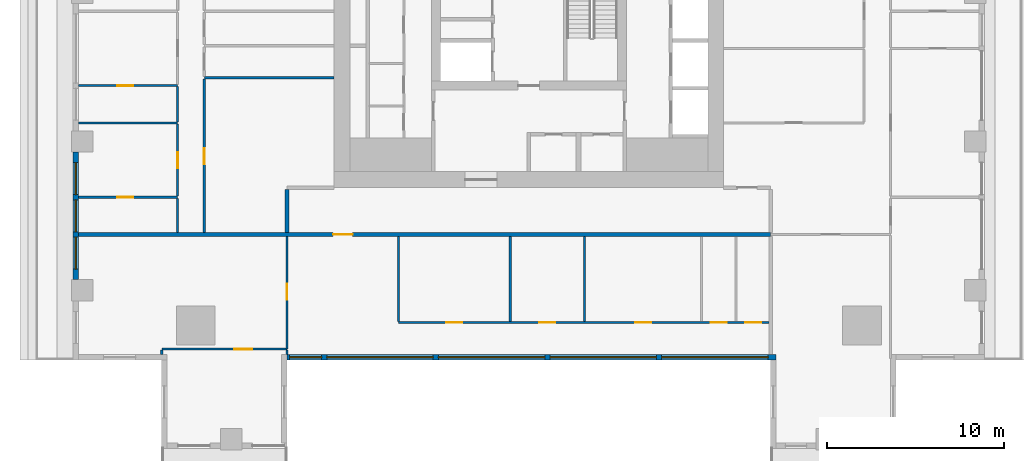
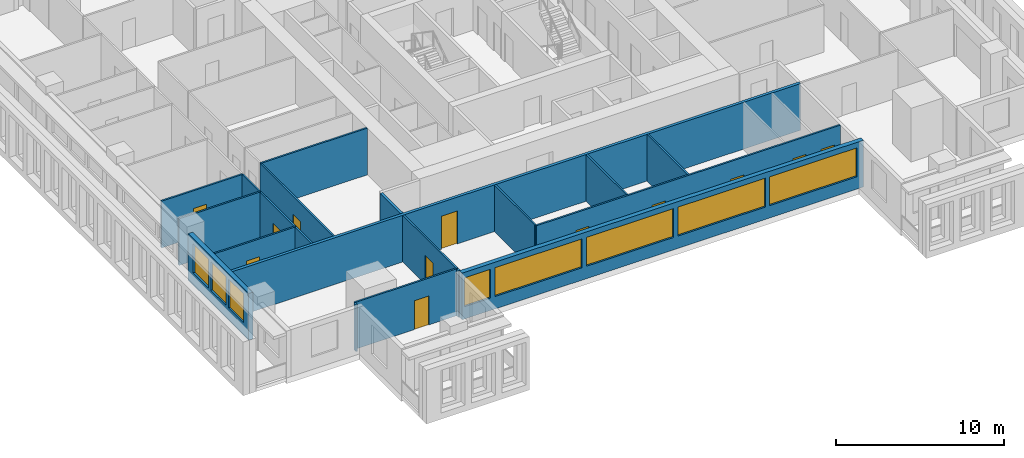
# One storey, part 2 of 14: 20 walls, 12 doors, 8 windows, 20 openings.
"""IFC4 building model written with IfcOpenShell, lengths in metres."""

from ifc_helpers import new_model, si_unit, direction, frame, frame_2d, origin, place, context, subcontext, project, spatial, rectangle, extrude, material, layer, layer_set, type_object, element, fill, save


model = new_model("IFC4")

# Units and contexts
model_context = context("Model", 3, precision=1e-05, world=origin(), true_north=direction((0.0, 1.0)))
body_context = subcontext(model_context, "Body", "Model", "MODEL_VIEW")
ifc_project = project(units=[si_unit("LENGTHUNIT", "METRE"), si_unit("AREAUNIT", "SQUARE_METRE"), si_unit("VOLUMEUNIT", "CUBIC_METRE"), si_unit("PLANEANGLEUNIT", "RADIAN"), si_unit("MASSUNIT", "GRAM", prefix="KILO")], contexts=[model_context])

# Site, building, storey
site_placement = place(None, origin())
site = spatial("IfcSite", under=ifc_project, at=site_placement, CompositionType="ELEMENT")
building_placement = place(site_placement, origin())
building = spatial("IfcBuilding", under=site, at=building_placement, Name="Khepri Terraces", CompositionType="ELEMENT")
storey_placement = place(building_placement, frame((0.0, 0.0, 283.5)))
storey = spatial("IfcBuildingStorey", under=building, at=storey_placement, Name="L68", CompositionType="ELEMENT", Elevation=283.5)

# Wall, opening, door
ifc_material_1 = material(Name="Fire-rated gypsum plasterboard partition, mineral wool")
ifc_layer_1 = layer(ifc_material_1, 0.199951171875, Name="Fire-rated gypsum plasterboard partition, mineral wool")
ifc_layer_set_1 = layer_set([ifc_layer_1], Name="Fire-rated gypsum plasterboard partition, mineral wool")
wall_type_1 = type_object("IfcWallType", Name="WL-CORR-200", PredefinedType="PARTITIONING", material=ifc_layer_set_1)
wall_1_placement = place(storey_placement, frame((-25.419921875, -13.64990234375, 0.0), z_axis=(0.0, 0.0, 1.0), x_axis=(1.0, 0.0, 0.0)))
wall_1 = element("IfcWall", 1, at=wall_1_placement, inside=storey, type_object=wall_type_1, Name="Partition P-014 L68", PredefinedType="PARTITIONING", context=body_context, shape_type="SweptSolid", body=[
    extrude(rectangle(XDim=39.06982421875, YDim=0.199951171875, at=frame_2d((19.534912109375, 0.0))), origin(), (0.0, 0.0, 1.0), 3.39990234375),
])
opening_1_placement = place(wall_1_placement, frame((14.3701171875, 0.0, 0.0)))
opening_1 = element("IfcOpeningElement", 2, at=opening_1_placement, cuts=wall_1, Name="Opening D1", PredefinedType="OPENING", context=body_context, shape_type="SweptSolid", body=[
    extrude(rectangle(XDim=1.10009765625, YDim=2.39990234375, at=frame_2d((0.550048828125, 1.199951171875))), frame((0.0, 0.10986328125, 0.0), z_axis=(0.0, -1.0, 0.0), x_axis=(1.0, 0.0, 0.0)), (0.0, 0.0, 1.0), 0.219970703125),
])
ifc_material_2 = material(Name="Solid-core timber door leaf, flat entrance door", Category="wood")
door_type_1 = type_object("IfcDoorType", Name="DR-ENT-1100", OperationType="NOTDEFINED", PredefinedType="DOOR", material=ifc_material_2)
door_1_placement = place(opening_1_placement, frame((1.10009765625, 0.0, 0.0), z_axis=(0.0, 0.0, 1.0), x_axis=(-1.0, 0.0, 0.0)))
door_1 = element("IfcDoor", 3, at=door_1_placement, inside=storey, type_object=door_type_1, Name="Flat A1 entrance door", OperationType="SINGLE_SWING_RIGHT", OverallHeight=2.39990234375, OverallWidth=1.10009765625, PredefinedType="DOOR", context=body_context, shape_type="SweptSolid", body=[
    extrude(rectangle(XDim=1.10009765625, YDim=2.39990234375, at=frame_2d((0.550048828125, 1.199951171875))), frame((0.0, 0.02490234375, 0.0), z_axis=(0.0, -1.0, 0.0), x_axis=(1.0, 0.0, 0.0)), (0.0, 0.0, 1.0), 0.050048828125),
])
fill(opening_1, door_1)

# Wall
wall_2_placement = place(storey_placement, frame((-13.64990234375, -13.550048828125, 0.0), z_axis=(0.0, 0.0, 1.0), x_axis=(0.0, 1.0, 0.0)))
element("IfcWall", 4, at=wall_2_placement, inside=storey, type_object=wall_type_1, Name="Partition P-019 L68", PredefinedType="PARTITIONING", context=body_context, shape_type="SweptSolid", body=[
    extrude(rectangle(XDim=2.449951171875, YDim=0.199951171875, at=frame_2d((1.22509765625, 0.0))), origin(), (0.0, 0.0, 1.0), 3.39990234375),
])

# Wall, openings, windows
ifc_material_3 = material(Name="Precast concrete C50/60 warm stone", Category="masonry")
ifc_layer_2 = layer(ifc_material_3, 0.300048828125, Name="Precast concrete C50/60 warm stone", Category="masonry")
ifc_layer_set_2 = layer_set([ifc_layer_2], Name="Precast concrete C50/60 warm stone")
wall_type_2 = type_object("IfcWallType", Name="WL-EXT-PRECAST-300", PredefinedType="STANDARD", material=ifc_layer_set_2)
wall_3_placement = place(storey_placement, frame((-25.570068359375, -9.0, 0.0), z_axis=(0.0, 0.0, 1.0), x_axis=(0.0, -1.0, 0.0)))
wall_3 = element("IfcWall", 5, at=wall_3_placement, inside=storey, type_object=wall_type_2, Name="External wall L68 W", PredefinedType="STANDARD", context=body_context, shape_type="SweptSolid", body=[
    extrude(rectangle(XDim=7.199951171875, YDim=0.300048828125, at=frame_2d((3.60009765625, 0.0))), origin(), (0.0, 0.0, 1.0), 3.39990234375),
])
opening_2_placement = place(wall_3_placement, frame((0.60009765625, 0.0, 0.89990234375)))
opening_2 = element("IfcOpeningElement", 6, at=opening_2_placement, cuts=wall_3, Name="Opening W1", PredefinedType="OPENING", context=body_context, shape_type="SweptSolid", body=[
    extrude(rectangle(XDim=1.800048828125, YDim=2.10009765625, at=frame_2d((0.89990234375, 1.050048828125))), frame((0.0, 0.16015625, 0.0), z_axis=(0.0, -1.0, 0.0), x_axis=(1.0, 0.0, 0.0)), (0.0, 0.0, 1.0), 0.320068359375),
])
opening_3_placement = place(wall_3_placement, frame((2.699951171875, 0.0, 0.89990234375)))
opening_3 = element("IfcOpeningElement", 7, at=opening_3_placement, cuts=wall_3, Name="Opening W1", PredefinedType="OPENING", context=body_context, shape_type="SweptSolid", body=[
    extrude(rectangle(XDim=1.800048828125, YDim=2.10009765625, at=frame_2d((0.89990234375, 1.050048828125))), frame((0.0, 0.16015625, 0.0), z_axis=(0.0, -1.0, 0.0), x_axis=(1.0, 0.0, 0.0)), (0.0, 0.0, 1.0), 0.320068359375),
])
opening_4_placement = place(wall_3_placement, frame((4.800048828125, 0.0, 0.89990234375)))
opening_4 = element("IfcOpeningElement", 8, at=opening_4_placement, cuts=wall_3, Name="Opening W1", PredefinedType="OPENING", context=body_context, shape_type="SweptSolid", body=[
    extrude(rectangle(XDim=1.800048828125, YDim=2.10009765625, at=frame_2d((0.89990234375, 1.050048828125))), frame((0.0, 0.16015625, 0.0), z_axis=(0.0, -1.0, 0.0), x_axis=(1.0, 0.0, 0.0)), (0.0, 0.0, 1.0), 0.320068359375),
])
ifc_material_4 = material(Name="Clear glass", Category="glass")
window_type_1 = type_object("IfcWindowType", Name="WIN-RES-1800x2100", PartitioningType="SINGLE_PANEL", PredefinedType="WINDOW", material=ifc_material_4)
window_1_placement = place(opening_2_placement, origin())
window_1 = element("IfcWindow", 9, at=window_1_placement, inside=storey, type_object=window_type_1, Name="Window L68 W", OverallHeight=2.10009765625, OverallWidth=1.800048828125, PartitioningType="SINGLE_PANEL", PredefinedType="WINDOW", context=body_context, shape_type="SweptSolid", body=[
    extrude(rectangle(XDim=1.800048828125, YDim=2.10009765625, at=frame_2d((0.89990234375, 1.050048828125))), frame((0.0, 0.030029296875, 0.0), z_axis=(0.0, -1.0, 0.0), x_axis=(1.0, 0.0, 0.0)), (0.0, 0.0, 1.0), 0.06005859375),
])
fill(opening_2, window_1)
window_2_placement = place(opening_3_placement, origin())
window_2 = element("IfcWindow", 10, at=window_2_placement, inside=storey, type_object=window_type_1, Name="Window L68 W", OverallHeight=2.10009765625, OverallWidth=1.800048828125, PartitioningType="SINGLE_PANEL", PredefinedType="WINDOW", context=body_context, shape_type="SweptSolid", body=[
    extrude(rectangle(XDim=1.800048828125, YDim=2.10009765625, at=frame_2d((0.89990234375, 1.050048828125))), frame((0.0, 0.030029296875, 0.0), z_axis=(0.0, -1.0, 0.0), x_axis=(1.0, 0.0, 0.0)), (0.0, 0.0, 1.0), 0.06005859375),
])
fill(opening_3, window_2)
window_3_placement = place(opening_4_placement, origin())
window_3 = element("IfcWindow", 11, at=window_3_placement, inside=storey, type_object=window_type_1, Name="Window L68 W", OverallHeight=2.10009765625, OverallWidth=1.800048828125, PartitioningType="SINGLE_PANEL", PredefinedType="WINDOW", context=body_context, shape_type="SweptSolid", body=[
    extrude(rectangle(XDim=1.800048828125, YDim=2.10009765625, at=frame_2d((0.89990234375, 1.050048828125))), frame((0.0, 0.030029296875, 0.0), z_axis=(0.0, -1.0, 0.0), x_axis=(1.0, 0.0, 0.0)), (0.0, 0.0, 1.0), 0.06005859375),
])
fill(opening_4, window_3)

wall_4_placement = place(storey_placement, frame((-13.64990234375, -20.570068359375, 0.0), z_axis=(0.0, 0.0, 1.0), x_axis=(1.0, 0.0, 0.0)))
wall_4 = element("IfcWall", 12, at=wall_4_placement, inside=storey, type_object=wall_type_2, Name="External wall L68 S", PredefinedType="STANDARD", context=body_context, shape_type="SweptSolid", body=[
    extrude(rectangle(XDim=27.599853515625, YDim=0.300048828125, at=frame_2d((13.7998046875, 0.0))), origin(), (0.0, 0.0, 1.0), 3.39990234375),
])
opening_5_placement = place(wall_4_placement, frame((0.14990234375, 0.0, 0.89990234375)))
opening_5 = element("IfcOpeningElement", 13, at=opening_5_placement, cuts=wall_4, Name="Opening W1", PredefinedType="OPENING", context=body_context, shape_type="SweptSolid", body=[
    extrude(rectangle(XDim=1.800048828125, YDim=2.10009765625, at=frame_2d((0.89990234375, 1.050048828125))), frame((0.0, 0.16015625, 0.0), z_axis=(0.0, -1.0, 0.0), x_axis=(1.0, 0.0, 0.0)), (0.0, 0.0, 1.0), 0.320068359375),
])
opening_6_placement = place(wall_4_placement, frame((2.25, 0.0, 0.89990234375)))
opening_6 = element("IfcOpeningElement", 14, at=opening_6_placement, cuts=wall_4, Name="Opening W3", PredefinedType="OPENING", context=body_context, shape_type="SweptSolid", body=[
    extrude(rectangle(XDim=6.0, YDim=2.10009765625, at=frame_2d((3.0, 1.050048828125))), frame((0.0, 0.16015625, 0.0), z_axis=(0.0, -1.0, 0.0), x_axis=(1.0, 0.0, 0.0)), (0.0, 0.0, 1.0), 0.320068359375),
])
opening_7_placement = place(wall_4_placement, frame((8.550048828125, 0.0, 0.89990234375)))
opening_7 = element("IfcOpeningElement", 15, at=opening_7_placement, cuts=wall_4, Name="Opening W3", PredefinedType="OPENING", context=body_context, shape_type="SweptSolid", body=[
    extrude(rectangle(XDim=6.0, YDim=2.10009765625, at=frame_2d((3.0, 1.050048828125))), frame((0.0, 0.16015625, 0.0), z_axis=(0.0, -1.0, 0.0), x_axis=(1.0, 0.0, 0.0)), (0.0, 0.0, 1.0), 0.320068359375),
])
opening_8_placement = place(wall_4_placement, frame((14.85009765625, 0.0, 0.89990234375)))
opening_8 = element("IfcOpeningElement", 16, at=opening_8_placement, cuts=wall_4, Name="Opening W3", PredefinedType="OPENING", context=body_context, shape_type="SweptSolid", body=[
    extrude(rectangle(XDim=6.0, YDim=2.10009765625, at=frame_2d((3.0, 1.050048828125))), frame((0.0, 0.16015625, 0.0), z_axis=(0.0, -1.0, 0.0), x_axis=(1.0, 0.0, 0.0)), (0.0, 0.0, 1.0), 0.320068359375),
])
opening_9_placement = place(wall_4_placement, frame((21.14990234375, 0.0, 0.89990234375)))
opening_9 = element("IfcOpeningElement", 17, at=opening_9_placement, cuts=wall_4, Name="Opening W3", PredefinedType="OPENING", context=body_context, shape_type="SweptSolid", body=[
    extrude(rectangle(XDim=6.0, YDim=2.10009765625, at=frame_2d((3.0, 1.050048828125))), frame((0.0, 0.16015625, 0.0), z_axis=(0.0, -1.0, 0.0), x_axis=(1.0, 0.0, 0.0)), (0.0, 0.0, 1.0), 0.320068359375),
])
window_4_placement = place(opening_5_placement, origin())
window_4 = element("IfcWindow", 18, at=window_4_placement, inside=storey, type_object=window_type_1, Name="Window L68 S", OverallHeight=2.10009765625, OverallWidth=1.800048828125, PartitioningType="SINGLE_PANEL", PredefinedType="WINDOW", context=body_context, shape_type="SweptSolid", body=[
    extrude(rectangle(XDim=1.800048828125, YDim=2.10009765625, at=frame_2d((0.89990234375, 1.050048828125))), frame((0.0, 0.030029296875, 0.0), z_axis=(0.0, -1.0, 0.0), x_axis=(1.0, 0.0, 0.0)), (0.0, 0.0, 1.0), 0.06005859375),
])
fill(opening_5, window_4)
window_type_2 = type_object("IfcWindowType", Name="WIN-RES-6000x2100", PartitioningType="SINGLE_PANEL", PredefinedType="WINDOW", material=ifc_material_4)
window_5_placement = place(opening_6_placement, origin())
window_5 = element("IfcWindow", 19, at=window_5_placement, inside=storey, type_object=window_type_2, Name="Window L68 S", OverallHeight=2.10009765625, OverallWidth=6.0, PartitioningType="SINGLE_PANEL", PredefinedType="WINDOW", context=body_context, shape_type="SweptSolid", body=[
    extrude(rectangle(XDim=6.0, YDim=2.10009765625, at=frame_2d((3.0, 1.050048828125))), frame((0.0, 0.030029296875, 0.0), z_axis=(0.0, -1.0, 0.0), x_axis=(1.0, 0.0, 0.0)), (0.0, 0.0, 1.0), 0.06005859375),
])
fill(opening_6, window_5)
window_6_placement = place(opening_7_placement, origin())
window_6 = element("IfcWindow", 20, at=window_6_placement, inside=storey, type_object=window_type_2, Name="Window L68 S", OverallHeight=2.10009765625, OverallWidth=6.0, PartitioningType="SINGLE_PANEL", PredefinedType="WINDOW", context=body_context, shape_type="SweptSolid", body=[
    extrude(rectangle(XDim=6.0, YDim=2.10009765625, at=frame_2d((3.0, 1.050048828125))), frame((0.0, 0.030029296875, 0.0), z_axis=(0.0, -1.0, 0.0), x_axis=(1.0, 0.0, 0.0)), (0.0, 0.0, 1.0), 0.06005859375),
])
fill(opening_7, window_6)
window_7_placement = place(opening_8_placement, origin())
window_7 = element("IfcWindow", 21, at=window_7_placement, inside=storey, type_object=window_type_2, Name="Window L68 S", OverallHeight=2.10009765625, OverallWidth=6.0, PartitioningType="SINGLE_PANEL", PredefinedType="WINDOW", context=body_context, shape_type="SweptSolid", body=[
    extrude(rectangle(XDim=6.0, YDim=2.10009765625, at=frame_2d((3.0, 1.050048828125))), frame((0.0, 0.030029296875, 0.0), z_axis=(0.0, -1.0, 0.0), x_axis=(1.0, 0.0, 0.0)), (0.0, 0.0, 1.0), 0.06005859375),
])
fill(opening_8, window_7)
window_8_placement = place(opening_9_placement, origin())
window_8 = element("IfcWindow", 22, at=window_8_placement, inside=storey, type_object=window_type_2, Name="Window L68 S", OverallHeight=2.10009765625, OverallWidth=6.0, PartitioningType="SINGLE_PANEL", PredefinedType="WINDOW", context=body_context, shape_type="SweptSolid", body=[
    extrude(rectangle(XDim=6.0, YDim=2.10009765625, at=frame_2d((3.0, 1.050048828125))), frame((0.0, 0.030029296875, 0.0), z_axis=(0.0, -1.0, 0.0), x_axis=(1.0, 0.0, 0.0)), (0.0, 0.0, 1.0), 0.06005859375),
])
fill(opening_9, window_8)

# Walls
ifc_material_5 = material(Name="Gypsum plasterboard partition")
ifc_layer_3 = layer(ifc_material_5, 0.1201171875, Name="Gypsum plasterboard partition")
ifc_layer_set_3 = layer_set([ifc_layer_3], Name="Gypsum plasterboard partition")
wall_type_3 = type_object("IfcWallType", Name="WL-PART-120", PredefinedType="PARTITIONING", material=ifc_layer_set_3)
for number, where, z_axis, x_axis, name in (
    (23, (-20.718994140625, -20.4208984375, 0.0), (0.0, 0.0, 1.0), (0.0, 1.0, 0.0), "Partition P-001 L68"),
    (24, (-13.65087890625, -20.4208984375, 0.0), (0.0, 0.0, 1.0), (0.0, 1.0, 0.0), "Partition P-002 L68"),
):
    element("IfcWall", number, at=place(storey_placement, frame(where, z_axis=z_axis, x_axis=x_axis)), inside=storey, type_object=wall_type_3, Name=name, PredefinedType="PARTITIONING", context=body_context, shape_type="SweptSolid", body=[
        extrude(rectangle(XDim=0.240966796875, YDim=0.1201171875, at=frame_2d((0.12060546875, 0.0))), origin(), (0.0, 0.0, 1.0), 3.39990234375),
    ])

# Wall, opening, door
wall_5_placement = place(storey_placement, frame((-20.718994140625, -20.1201171875, 0.0), z_axis=(0.0, 0.0, 1.0), x_axis=(1.0, 0.0, 0.0)))
wall_5 = element("IfcWall", 25, at=wall_5_placement, inside=storey, type_object=wall_type_3, Name="Partition P-006 L68", PredefinedType="PARTITIONING", context=body_context, shape_type="SweptSolid", body=[
    extrude(rectangle(XDim=7.068115234375, YDim=0.1201171875, at=frame_2d((3.5341796875, 0.0))), origin(), (0.0, 0.0, 1.0), 3.39990234375),
])
opening_10_placement = place(wall_5_placement, frame((4.09423828125, 0.0, 0.0)))
opening_10 = element("IfcOpeningElement", 26, at=opening_10_placement, cuts=wall_5, Name="Opening D2", PredefinedType="OPENING", context=body_context, shape_type="SweptSolid", body=[
    extrude(rectangle(XDim=1.0, YDim=2.10009765625, at=frame_2d((0.5, 1.050048828125))), frame((0.0, 0.070068359375, 0.0), z_axis=(0.0, -1.0, 0.0), x_axis=(1.0, 0.0, 0.0)), (0.0, 0.0, 1.0), 0.14013671875),
])
ifc_material_6 = material(Name="Timber door leaf, living room door", Category="wood")
door_type_2 = type_object("IfcDoorType", Name="DR-INT-1000", OperationType="NOTDEFINED", PredefinedType="DOOR", material=ifc_material_6)
door_2_placement = place(opening_10_placement, frame((1.0, 0.0, 0.0), z_axis=(0.0, 0.0, 1.0), x_axis=(-1.0, 0.0, 0.0)))
door_2 = element("IfcDoor", 27, at=door_2_placement, inside=storey, type_object=door_type_2, Name="Door Living Room", OperationType="SINGLE_SWING_LEFT", OverallHeight=2.10009765625, OverallWidth=1.0, PredefinedType="DOOR", context=body_context, shape_type="SweptSolid", body=[
    extrude(rectangle(XDim=1.0, YDim=2.10009765625, at=frame_2d((0.5, 1.050048828125))), frame((0.0, 0.02490234375, 0.0), z_axis=(0.0, -1.0, 0.0), x_axis=(1.0, 0.0, 0.0)), (0.0, 0.0, 1.0), 0.050048828125),
])
fill(opening_10, door_2)

wall_6_placement = place(storey_placement, frame((-13.64990234375, -20.118896484375, 0.0), z_axis=(0.0, 0.0, 1.0), x_axis=(0.0, 1.0, 0.0)))
wall_6 = element("IfcWall", 28, at=wall_6_placement, inside=storey, type_object=wall_type_3, Name="Partition P-007 L68", PredefinedType="PARTITIONING", context=body_context, shape_type="SweptSolid", body=[
    extrude(rectangle(XDim=6.368896484375, YDim=0.1201171875, at=frame_2d((3.1845703125, 0.0))), origin(), (0.0, 0.0, 1.0), 3.39990234375),
])
opening_11_placement = place(wall_6_placement, frame((2.784423828125, 0.0, 0.0)))
opening_11 = element("IfcOpeningElement", 29, at=opening_11_placement, cuts=wall_6, Name="Opening D3", PredefinedType="OPENING", context=body_context, shape_type="SweptSolid", body=[
    extrude(rectangle(XDim=0.89990234375, YDim=2.10009765625, at=frame_2d((0.449951171875, 1.050048828125))), frame((0.0, 0.070068359375, 0.0), z_axis=(0.0, -1.0, 0.0), x_axis=(1.0, 0.0, 0.0)), (0.0, 0.0, 1.0), 0.14013671875),
])
ifc_material_7 = material(Name="Timber door leaf", Category="wood")
door_type_3 = type_object("IfcDoorType", Name="DR-INT-900", OperationType="NOTDEFINED", PredefinedType="DOOR", material=ifc_material_7)
door_3_placement = place(opening_11_placement, origin())
door_3 = element("IfcDoor", 30, at=door_3_placement, inside=storey, type_object=door_type_3, Name="Door Home Gym", OperationType="SINGLE_SWING_RIGHT", OverallHeight=2.10009765625, OverallWidth=0.89990234375, PredefinedType="DOOR", context=body_context, shape_type="SweptSolid", body=[
    extrude(rectangle(XDim=0.89990234375, YDim=2.10009765625, at=frame_2d((0.449951171875, 1.050048828125))), frame((0.0, 0.02490234375, 0.0), z_axis=(0.0, -1.0, 0.0), x_axis=(1.0, 0.0, 0.0)), (0.0, 0.0, 1.0), 0.050048828125),
])
fill(opening_11, door_3)

# Wall, openings, doors
wall_7_placement = place(storey_placement, frame((-7.35009765625, -18.6201171875, 0.0), z_axis=(0.0, 0.0, 1.0), x_axis=(1.0, 0.0, 0.0)))
wall_7 = element("IfcWall", 31, at=wall_7_placement, inside=storey, type_object=wall_type_3, Name="Partition P-008 L68", PredefinedType="PARTITIONING", context=body_context, shape_type="SweptSolid", body=[
    extrude(rectangle(XDim=20.900146484375, YDim=0.1201171875, at=frame_2d((10.4501953125, 0.0))), origin(), (0.0, 0.0, 1.0), 3.39990234375),
])
opening_12_placement = place(wall_7_placement, frame((2.699951171875, 0.0, 0.0)))
opening_12 = element("IfcOpeningElement", 32, at=opening_12_placement, cuts=wall_7, Name="Opening D3", PredefinedType="OPENING", context=body_context, shape_type="SweptSolid", body=[
    extrude(rectangle(XDim=0.89990234375, YDim=2.10009765625, at=frame_2d((0.449951171875, 1.050048828125))), frame((0.0, 0.070068359375, 0.0), z_axis=(0.0, -1.0, 0.0), x_axis=(1.0, 0.0, 0.0)), (0.0, 0.0, 1.0), 0.14013671875),
])
opening_13_placement = place(wall_7_placement, frame((7.949951171875, 0.0, 0.0)))
opening_13 = element("IfcOpeningElement", 33, at=opening_13_placement, cuts=wall_7, Name="Opening D3", PredefinedType="OPENING", context=body_context, shape_type="SweptSolid", body=[
    extrude(rectangle(XDim=0.89990234375, YDim=2.10009765625, at=frame_2d((0.449951171875, 1.050048828125))), frame((0.0, 0.070068359375, 0.0), z_axis=(0.0, -1.0, 0.0), x_axis=(1.0, 0.0, 0.0)), (0.0, 0.0, 1.0), 0.14013671875),
])
opening_14_placement = place(wall_7_placement, frame((13.35009765625, 0.0, 0.0)))
opening_14 = element("IfcOpeningElement", 34, at=opening_14_placement, cuts=wall_7, Name="Opening D3", PredefinedType="OPENING", context=body_context, shape_type="SweptSolid", body=[
    extrude(rectangle(XDim=0.89990234375, YDim=2.10009765625, at=frame_2d((0.449951171875, 1.050048828125))), frame((0.0, 0.070068359375, 0.0), z_axis=(0.0, -1.0, 0.0), x_axis=(1.0, 0.0, 0.0)), (0.0, 0.0, 1.0), 0.14013671875),
])
opening_15_placement = place(wall_7_placement, frame((17.625, 0.0, 0.0)))
opening_15 = element("IfcOpeningElement", 35, at=opening_15_placement, cuts=wall_7, Name="Opening D4", PredefinedType="OPENING", context=body_context, shape_type="SweptSolid", body=[
    extrude(rectangle(XDim=0.89990234375, YDim=2.10009765625, at=frame_2d((0.449951171875, 1.050048828125))), frame((0.0, 0.070068359375, 0.0), z_axis=(0.0, -1.0, 0.0), x_axis=(1.0, 0.0, 0.0)), (0.0, 0.0, 1.0), 0.14013671875),
])
opening_16_placement = place(wall_7_placement, frame((19.574951171875, 0.0, 0.0)))
opening_16 = element("IfcOpeningElement", 36, at=opening_16_placement, cuts=wall_7, Name="Opening D4", PredefinedType="OPENING", context=body_context, shape_type="SweptSolid", body=[
    extrude(rectangle(XDim=0.89990234375, YDim=2.10009765625, at=frame_2d((0.449951171875, 1.050048828125))), frame((0.0, 0.070068359375, 0.0), z_axis=(0.0, -1.0, 0.0), x_axis=(1.0, 0.0, 0.0)), (0.0, 0.0, 1.0), 0.14013671875),
])
door_4_placement = place(opening_12_placement, origin())
door_4 = element("IfcDoor", 37, at=door_4_placement, inside=storey, type_object=door_type_3, Name="Door Kitchen", OperationType="SINGLE_SWING_LEFT", OverallHeight=2.10009765625, OverallWidth=0.89990234375, PredefinedType="DOOR", context=body_context, shape_type="SweptSolid", body=[
    extrude(rectangle(XDim=0.89990234375, YDim=2.10009765625, at=frame_2d((0.449951171875, 1.050048828125))), frame((0.0, 0.02490234375, 0.0), z_axis=(0.0, -1.0, 0.0), x_axis=(1.0, 0.0, 0.0)), (0.0, 0.0, 1.0), 0.050048828125),
])
fill(opening_12, door_4)
door_5_placement = place(opening_13_placement, origin())
door_5 = element("IfcDoor", 38, at=door_5_placement, inside=storey, type_object=door_type_3, Name="Door Service Kitchen", OperationType="SINGLE_SWING_LEFT", OverallHeight=2.10009765625, OverallWidth=0.89990234375, PredefinedType="DOOR", context=body_context, shape_type="SweptSolid", body=[
    extrude(rectangle(XDim=0.89990234375, YDim=2.10009765625, at=frame_2d((0.449951171875, 1.050048828125))), frame((0.0, 0.02490234375, 0.0), z_axis=(0.0, -1.0, 0.0), x_axis=(1.0, 0.0, 0.0)), (0.0, 0.0, 1.0), 0.050048828125),
])
fill(opening_13, door_5)
door_6_placement = place(opening_14_placement, origin())
door_6 = element("IfcDoor", 39, at=door_6_placement, inside=storey, type_object=door_type_3, Name="Door Staff Bedroom", OperationType="SINGLE_SWING_RIGHT", OverallHeight=2.10009765625, OverallWidth=0.89990234375, PredefinedType="DOOR", context=body_context, shape_type="SweptSolid", body=[
    extrude(rectangle(XDim=0.89990234375, YDim=2.10009765625, at=frame_2d((0.449951171875, 1.050048828125))), frame((0.0, 0.02490234375, 0.0), z_axis=(0.0, -1.0, 0.0), x_axis=(1.0, 0.0, 0.0)), (0.0, 0.0, 1.0), 0.050048828125),
])
fill(opening_14, door_6)
ifc_material_8 = material(Name="Timber door leaf, moisture resistant", Category="wood")
door_type_4 = type_object("IfcDoorType", Name="DR-WET-900", OperationType="NOTDEFINED", PredefinedType="DOOR", material=ifc_material_8)
door_7_placement = place(opening_15_placement, origin())
door_7 = element("IfcDoor", 40, at=door_7_placement, inside=storey, type_object=door_type_4, Name="Door Powder Room", OperationType="SINGLE_SWING_RIGHT", OverallHeight=2.10009765625, OverallWidth=0.89990234375, PredefinedType="DOOR", context=body_context, shape_type="SweptSolid", body=[
    extrude(rectangle(XDim=0.89990234375, YDim=2.10009765625, at=frame_2d((0.449951171875, 1.050048828125))), frame((0.0, 0.02490234375, 0.0), z_axis=(0.0, -1.0, 0.0), x_axis=(1.0, 0.0, 0.0)), (0.0, 0.0, 1.0), 0.050048828125),
])
fill(opening_15, door_7)
door_8_placement = place(opening_16_placement, origin())
door_8 = element("IfcDoor", 41, at=door_8_placement, inside=storey, type_object=door_type_4, Name="Door Guest Bathroom", OperationType="SINGLE_SWING_RIGHT", OverallHeight=2.10009765625, OverallWidth=0.89990234375, PredefinedType="DOOR", context=body_context, shape_type="SweptSolid", body=[
    extrude(rectangle(XDim=0.89990234375, YDim=2.10009765625, at=frame_2d((0.449951171875, 1.050048828125))), frame((0.0, 0.02490234375, 0.0), z_axis=(0.0, -1.0, 0.0), x_axis=(1.0, 0.0, 0.0)), (0.0, 0.0, 1.0), 0.050048828125),
])
fill(opening_16, door_8)

# Walls
for number, where, z_axis, x_axis, name in (
    (42, (-7.35009765625, -18.56005859375, 0.0), (0.0, 0.0, 1.0), (0.0, 1.0, 0.0), "Partition P-009 L68"),
    (43, (-1.050048828125, -18.56005859375, 0.0), (0.0, 0.0, 1.0), (0.0, 1.0, 0.0), "Partition P-010 L68"),
    (44, (3.14990234375, -18.56005859375, 0.0), (0.0, 0.0, 1.0), (0.0, 1.0, 0.0), "Partition P-011 L68"),
):
    element("IfcWall", number, at=place(storey_placement, frame(where, z_axis=z_axis, x_axis=x_axis)), inside=storey, type_object=wall_type_3, Name=name, PredefinedType="PARTITIONING", context=body_context, shape_type="SweptSolid", body=[
        extrude(rectangle(XDim=4.81005859375, YDim=0.1201171875, at=frame_2d((2.405029296875, 0.0))), origin(), (0.0, 0.0, 1.0), 3.39990234375),
    ])
wall_8_placement = place(storey_placement, frame((-19.820068359375, -13.550048828125, 0.0), z_axis=(0.0, 0.0, 1.0), x_axis=(0.0, 1.0, 0.0)))
element("IfcWall", 45, at=wall_8_placement, inside=storey, type_object=wall_type_3, Name="Partition P-017 L68", PredefinedType="PARTITIONING", context=body_context, shape_type="SweptSolid", body=[
    extrude(rectangle(XDim=1.93994140625, YDim=0.1201171875, at=frame_2d((0.969970703125, 0.0))), origin(), (0.0, 0.0, 1.0), 3.39990234375),
])

# Wall, opening, door
wall_9_placement = place(storey_placement, frame((-18.320068359375, -13.550048828125, 0.0), z_axis=(0.0, 0.0, 1.0), x_axis=(0.0, 1.0, 0.0)))
wall_9 = element("IfcWall", 46, at=wall_9_placement, inside=storey, type_object=wall_type_3, Name="Partition P-018 L68", PredefinedType="PARTITIONING", context=body_context, shape_type="SweptSolid", body=[
    extrude(rectangle(XDim=8.68994140625, YDim=0.1201171875, at=frame_2d((4.344970703125, 0.0))), origin(), (0.0, 0.0, 1.0), 3.39990234375),
])
opening_17_placement = place(wall_9_placement, frame((3.875, 0.0, 0.0)))
opening_17 = element("IfcOpeningElement", 47, at=opening_17_placement, cuts=wall_9, Name="Opening D3", PredefinedType="OPENING", context=body_context, shape_type="SweptSolid", body=[
    extrude(rectangle(XDim=0.89990234375, YDim=2.10009765625, at=frame_2d((0.449951171875, 1.050048828125))), frame((0.0, 0.070068359375, 0.0), z_axis=(0.0, -1.0, 0.0), x_axis=(1.0, 0.0, 0.0)), (0.0, 0.0, 1.0), 0.14013671875),
])
door_9_placement = place(opening_17_placement, frame((0.89990234375, 0.0, 0.0), z_axis=(0.0, 0.0, 1.0), x_axis=(-1.0, 0.0, 0.0)))
door_9 = element("IfcDoor", 48, at=door_9_placement, inside=storey, type_object=door_type_3, Name="Door Library", OperationType="SINGLE_SWING_RIGHT", OverallHeight=2.10009765625, OverallWidth=0.89990234375, PredefinedType="DOOR", context=body_context, shape_type="SweptSolid", body=[
    extrude(rectangle(XDim=0.89990234375, YDim=2.10009765625, at=frame_2d((0.449951171875, 1.050048828125))), frame((0.0, 0.02490234375, 0.0), z_axis=(0.0, -1.0, 0.0), x_axis=(1.0, 0.0, 0.0)), (0.0, 0.0, 1.0), 0.050048828125),
])
fill(opening_17, door_9)

wall_10_placement = place(storey_placement, frame((-25.419921875, -11.550048828125, 0.0), z_axis=(0.0, 0.0, 1.0), x_axis=(1.0, 0.0, 0.0)))
wall_10 = element("IfcWall", 49, at=wall_10_placement, inside=storey, type_object=wall_type_3, Name="Partition P-021 L68", PredefinedType="PARTITIONING", context=body_context, shape_type="SweptSolid", body=[
    extrude(rectangle(XDim=5.599853515625, YDim=0.1201171875, at=frame_2d((2.7998046875, 0.0))), origin(), (0.0, 0.0, 1.0), 3.39990234375),
])
opening_18_placement = place(wall_10_placement, frame((2.199951171875, 0.0, 0.0)))
opening_18 = element("IfcOpeningElement", 50, at=opening_18_placement, cuts=wall_10, Name="Opening D4", PredefinedType="OPENING", context=body_context, shape_type="SweptSolid", body=[
    extrude(rectangle(XDim=0.89990234375, YDim=2.10009765625, at=frame_2d((0.449951171875, 1.050048828125))), frame((0.0, 0.070068359375, 0.0), z_axis=(0.0, -1.0, 0.0), x_axis=(1.0, 0.0, 0.0)), (0.0, 0.0, 1.0), 0.14013671875),
])
door_10_placement = place(opening_18_placement, frame((0.89990234375, 0.0, 0.0), z_axis=(0.0, 0.0, 1.0), x_axis=(-1.0, 0.0, 0.0)))
door_10 = element("IfcDoor", 51, at=door_10_placement, inside=storey, type_object=door_type_4, Name="Door Bathroom", OperationType="SINGLE_SWING_RIGHT", OverallHeight=2.10009765625, OverallWidth=0.89990234375, PredefinedType="DOOR", context=body_context, shape_type="SweptSolid", body=[
    extrude(rectangle(XDim=0.89990234375, YDim=2.10009765625, at=frame_2d((0.449951171875, 1.050048828125))), frame((0.0, 0.02490234375, 0.0), z_axis=(0.0, -1.0, 0.0), x_axis=(1.0, 0.0, 0.0)), (0.0, 0.0, 1.0), 0.050048828125),
])
fill(opening_18, door_10)

wall_11_placement = place(storey_placement, frame((-19.820068359375, -11.489990234375, 0.0), z_axis=(0.0, 0.0, 1.0), x_axis=(0.0, 1.0, 0.0)))
wall_11 = element("IfcWall", 52, at=wall_11_placement, inside=storey, type_object=wall_type_3, Name="Partition P-023 L68", PredefinedType="PARTITIONING", context=body_context, shape_type="SweptSolid", body=[
    extrude(rectangle(XDim=4.080078125, YDim=0.1201171875, at=frame_2d((2.0400390625, 0.0))), origin(), (0.0, 0.0, 1.0), 3.39990234375),
])
opening_19_placement = place(wall_11_placement, frame((1.590087890625, 0.0, 0.0)))
opening_19 = element("IfcOpeningElement", 53, at=opening_19_placement, cuts=wall_11, Name="Opening D3", PredefinedType="OPENING", context=body_context, shape_type="SweptSolid", body=[
    extrude(rectangle(XDim=0.89990234375, YDim=2.10009765625, at=frame_2d((0.449951171875, 1.050048828125))), frame((0.0, 0.070068359375, 0.0), z_axis=(0.0, -1.0, 0.0), x_axis=(1.0, 0.0, 0.0)), (0.0, 0.0, 1.0), 0.14013671875),
])
door_11_placement = place(opening_19_placement, origin())
door_11 = element("IfcDoor", 54, at=door_11_placement, inside=storey, type_object=door_type_3, Name="Door Bedroom", OperationType="SINGLE_SWING_RIGHT", OverallHeight=2.10009765625, OverallWidth=0.89990234375, PredefinedType="DOOR", context=body_context, shape_type="SweptSolid", body=[
    extrude(rectangle(XDim=0.89990234375, YDim=2.10009765625, at=frame_2d((0.449951171875, 1.050048828125))), frame((0.0, 0.02490234375, 0.0), z_axis=(0.0, -1.0, 0.0), x_axis=(1.0, 0.0, 0.0)), (0.0, 0.0, 1.0), 0.050048828125),
])
fill(opening_19, door_11)

# Walls
wall_12_placement = place(storey_placement, frame((-25.419921875, -7.35009765625, 0.0), z_axis=(0.0, 0.0, 1.0), x_axis=(1.0, 0.0, 0.0)))
element("IfcWall", 55, at=wall_12_placement, inside=storey, type_object=wall_type_3, Name="Partition P-027 L68", PredefinedType="PARTITIONING", context=body_context, shape_type="SweptSolid", body=[
    extrude(rectangle(XDim=5.599853515625, YDim=0.1201171875, at=frame_2d((2.7998046875, 0.0))), origin(), (0.0, 0.0, 1.0), 3.39990234375),
])
wall_13_placement = place(storey_placement, frame((-19.820068359375, -7.2900390625, 0.0), z_axis=(0.0, 0.0, 1.0), x_axis=(0.0, 1.0, 0.0)))
element("IfcWall", 56, at=wall_13_placement, inside=storey, type_object=wall_type_3, Name="Partition P-029 L68", PredefinedType="PARTITIONING", context=body_context, shape_type="SweptSolid", body=[
    extrude(rectangle(XDim=1.97998046875, YDim=0.1201171875, at=frame_2d((0.989990234375, 0.0))), origin(), (0.0, 0.0, 1.0), 3.39990234375),
])

# Wall, opening, door
wall_14_placement = place(storey_placement, frame((-25.419921875, -5.25, 0.0), z_axis=(0.0, 0.0, 1.0), x_axis=(1.0, 0.0, 0.0)))
wall_14 = element("IfcWall", 57, at=wall_14_placement, inside=storey, type_object=wall_type_3, Name="Partition P-031 L68", PredefinedType="PARTITIONING", context=body_context, shape_type="SweptSolid", body=[
    extrude(rectangle(XDim=5.599853515625, YDim=0.1201171875, at=frame_2d((2.7998046875, 0.0))), origin(), (0.0, 0.0, 1.0), 3.39990234375),
])
opening_20_placement = place(wall_14_placement, frame((2.199951171875, 0.0, 0.0)))
opening_20 = element("IfcOpeningElement", 58, at=opening_20_placement, cuts=wall_14, Name="Opening D4", PredefinedType="OPENING", context=body_context, shape_type="SweptSolid", body=[
    extrude(rectangle(XDim=0.89990234375, YDim=2.10009765625, at=frame_2d((0.449951171875, 1.050048828125))), frame((0.0, 0.070068359375, 0.0), z_axis=(0.0, -1.0, 0.0), x_axis=(1.0, 0.0, 0.0)), (0.0, 0.0, 1.0), 0.14013671875),
])
door_12_placement = place(opening_20_placement, frame((0.89990234375, 0.0, 0.0), z_axis=(0.0, 0.0, 1.0), x_axis=(-1.0, 0.0, 0.0)))
door_12 = element("IfcDoor", 59, at=door_12_placement, inside=storey, type_object=door_type_4, Name="Door Bathroom", OperationType="SINGLE_SWING_RIGHT", OverallHeight=2.10009765625, OverallWidth=0.89990234375, PredefinedType="DOOR", context=body_context, shape_type="SweptSolid", body=[
    extrude(rectangle(XDim=0.89990234375, YDim=2.10009765625, at=frame_2d((0.449951171875, 1.050048828125))), frame((0.0, 0.02490234375, 0.0), z_axis=(0.0, -1.0, 0.0), x_axis=(1.0, 0.0, 0.0)), (0.0, 0.0, 1.0), 0.050048828125),
])
fill(opening_20, door_12)

# Wall
wall_15_placement = place(storey_placement, frame((-18.320068359375, -4.800048828125, 0.0), z_axis=(0.0, 0.0, 1.0), x_axis=(1.0, 0.0, 0.0)))
element("IfcWall", 60, at=wall_15_placement, inside=storey, type_object=wall_type_3, Name="Partition P-033 L68", PredefinedType="PARTITIONING", context=body_context, shape_type="SweptSolid", body=[
    extrude(rectangle(XDim=7.320068359375, YDim=0.1201171875, at=frame_2d((3.66015625, 0.0))), origin(), (0.0, 0.0, 1.0), 3.39990234375),
])

save(model, "model.ifc")
